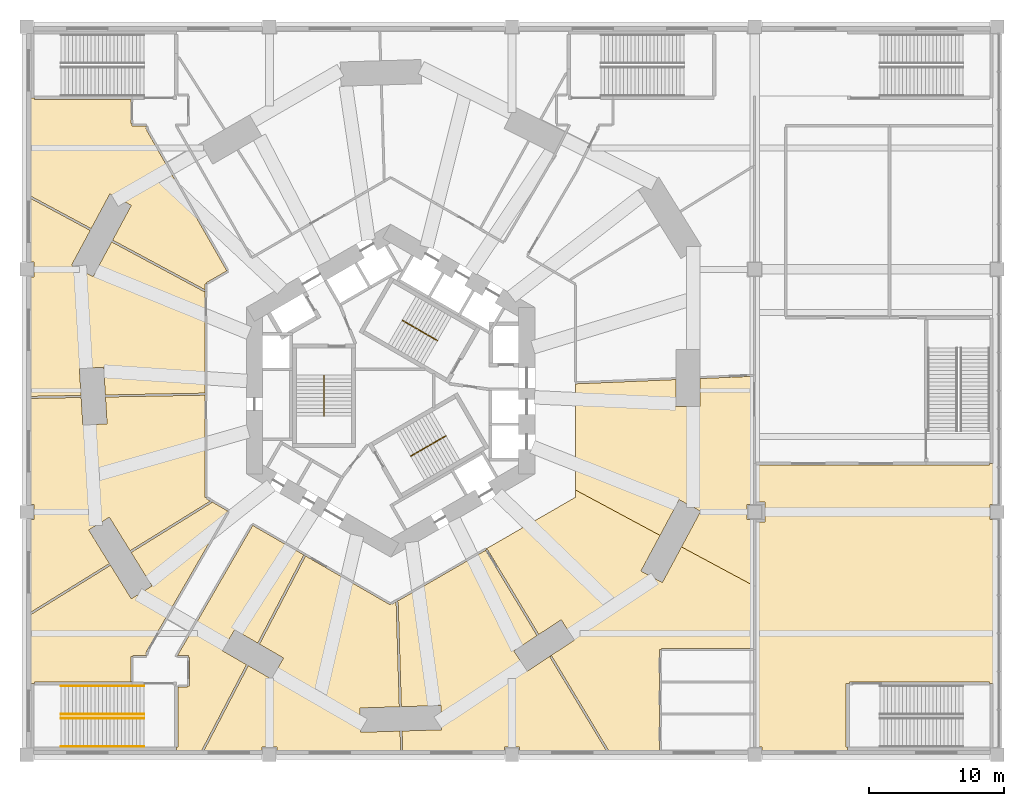
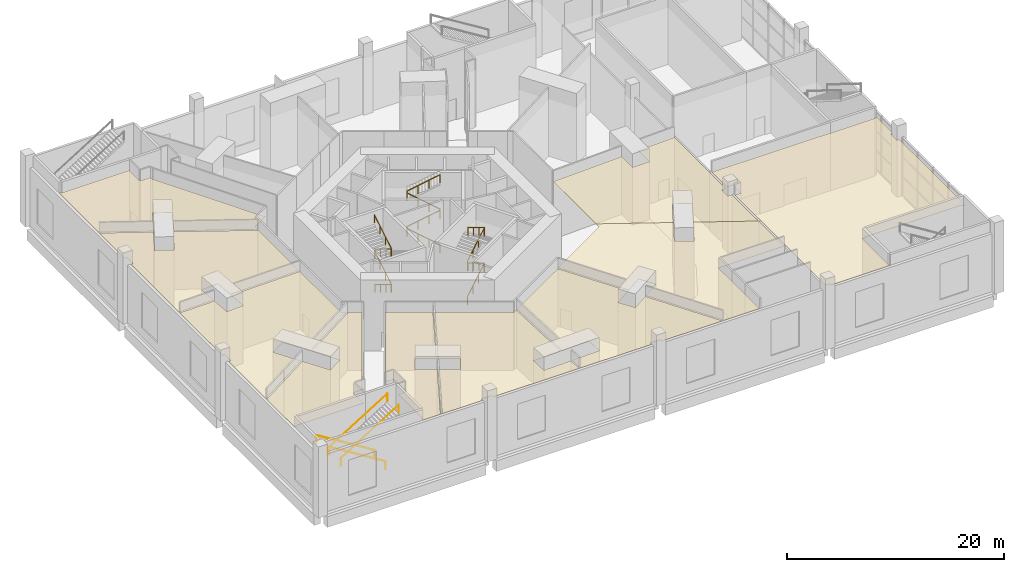
# One storey, part 14 of 15: 10 coverings, 7 railings.
"""IFC4 building model written with IfcOpenShell, lengths in metres."""

from ifc_helpers import new_model, si_unit, direction, frame, origin, origin_2d, place, context, subcontext, project, spatial, polyline, circle, outline, extrude, material, layer, layer_set, type_object, element, save


model = new_model("IFC4")

# Units and contexts
model_context = context("Model", 3, precision=1e-05, world=origin(), true_north=direction((0.0, 1.0)))
body_context = subcontext(model_context, "Body", "Model", "MODEL_VIEW")
ifc_project = project(units=[si_unit("LENGTHUNIT", "METRE"), si_unit("AREAUNIT", "SQUARE_METRE"), si_unit("VOLUMEUNIT", "CUBIC_METRE"), si_unit("PLANEANGLEUNIT", "RADIAN"), si_unit("MASSUNIT", "GRAM", prefix="KILO")], contexts=[model_context])

# Site, building, storey
site_placement = place(None, origin())
site = spatial("IfcSite", under=ifc_project, at=site_placement, CompositionType="ELEMENT")
building_placement = place(site_placement, origin())
building = spatial("IfcBuilding", under=site, at=building_placement, Name="Vanh Sen Convention Tower", CompositionType="ELEMENT")
storey_placement = place(building_placement, frame((0.0, 0.0, 13.0)))
storey = spatial("IfcBuildingStorey", under=building, at=storey_placement, Name="L02", CompositionType="ELEMENT", Elevation=13.0)

# Railings
ifc_material_1 = material(Name="Stainless steel", Category="steel")
railing_type_1 = type_object("IfcRailingType", Name="Podium handrail 900", PredefinedType="HANDRAIL", material=ifc_material_1)
for number, where, name in (
    (1, (-18.300048828125, -21.89990234375, 0.173828125), "Handrail PS6 L02"),
    (2, (-18.300048828125, -24.0, 0.173828125), "Handrail PS6 L02"),
):
    element("IfcRailing", number, at=place(storey_placement, frame(where)), inside=storey, type_object=railing_type_1, Name=name, PredefinedType="HANDRAIL", context=body_context, shape_type="SweptSolid", body=[
        extrude(circle(Radius=0.02392578125, at=origin_2d()), frame((0.0, 0.0, 0.8759765625), z_axis=(-0.849468459523, 0.0, 0.527639399851), x_axis=(0.0, -1.0, 0.0)), (0.0, 0.0, 1.0), 7.25146484375),
        extrude(circle(Radius=0.02099609375, at=origin_2d()), origin(), (0.0, 0.0, 1.0), 0.851806640625),
        extrude(circle(Radius=0.02099609375, at=origin_2d()), frame((-6.159912109375, 0.0, 3.826171875)), (0.0, 0.0, 1.0), 0.851806640625),
    ])
for number, where, name in (
    (3, (-24.4599609375, -26.39990234375, 4.173828125), "Handrail PS6 L02"),
    (4, (-24.4599609375, -24.300048828125, 4.173828125), "Handrail PS6 L02"),
):
    element("IfcRailing", number, at=place(storey_placement, frame(where)), inside=storey, type_object=railing_type_1, Name=name, PredefinedType="HANDRAIL", context=body_context, shape_type="SweptSolid", body=[
        extrude(circle(Radius=0.02392578125, at=origin_2d()), frame((0.0, 0.0, 0.8759765625), z_axis=(0.849468459523, 0.0, 0.527639399851), x_axis=(0.0, 1.0, 0.0)), (0.0, 0.0, 1.0), 7.25146484375),
        extrude(circle(Radius=0.02099609375, at=origin_2d()), origin(), (0.0, 0.0, 1.0), 0.851806640625),
        extrude(circle(Radius=0.02099609375, at=origin_2d()), frame((6.159912109375, 0.0, 3.826171875)), (0.0, 0.0, 1.0), 0.851806640625),
    ])
ifc_material_2 = material(Name="Stainless steel handrail", Category="steel")
railing_type_2 = type_object("IfcRailingType", Name="Stair handrail 900", PredefinedType="HANDRAIL", material=ifc_material_2)
railing_1_placement = place(storey_placement, frame((3.45849609375, 3.690185546875, 0.166748046875)))
element("IfcRailing", 5, at=railing_1_placement, inside=storey, type_object=railing_type_2, Name="Stair handrail ST1 L02", PredefinedType="HANDRAIL", context=body_context, shape_type="SweptSolid", body=[
    extrude(circle(Radius=0.02392578125, at=origin_2d()), frame((0.0, 0.0, 0.8759765625), z_axis=(-0.740654910014, 0.427579644724, 0.518272082685), x_axis=(-0.49996696679, -0.866044474677, 0.0)), (0.0, 0.0, 1.0), 3.537353515625),
    extrude(circle(Radius=0.02392578125, at=origin_2d()), frame((-2.619873046875, 1.512451171875, 2.708984375), z_axis=(0.500844580232, 0.86553723574, 0.0), x_axis=(-0.86553723574, 0.500844580232, 0.0)), (0.0, 0.0, 1.0), 0.05029296875),
    extrude(circle(Radius=0.02392578125, at=origin_2d()), frame((-2.5947265625, 1.555908203125, 2.708984375), z_axis=(0.0, 0.0, 1.0), x_axis=(1.0, 0.0, 0.0)), (0.0, 0.0, 1.0), 0.166748046875),
    extrude(circle(Radius=0.02392578125, at=origin_2d()), frame((-2.5947265625, 1.555908203125, 2.8759765625), z_axis=(0.740601889828, -0.427657903949, 0.518283279657), x_axis=(0.500062442642, 0.865989349507, 0.0)), (0.0, 0.0, 1.0), 3.537109375),
    extrude(circle(Radius=0.02392578125, at=origin_2d()), frame((0.02490234375, 0.043212890625, 4.708984375), z_axis=(-0.499298623879, -0.866429964967, 0.0), x_axis=(0.866429964967, -0.499298623879, 0.0)), (0.0, 0.0, 1.0), 0.0498046875),
    extrude(circle(Radius=0.02392578125, at=origin_2d()), frame((0.0, 0.0, 4.708984375), z_axis=(0.0, 0.0, 1.0), x_axis=(1.0, 0.0, 0.0)), (0.0, 0.0, 1.0), 0.166748046875),
    extrude(circle(Radius=0.02392578125, at=origin_2d()), frame((0.0, 0.0, 4.8759765625), z_axis=(-0.740654910014, 0.427579644724, 0.518272082685), x_axis=(-0.49996696679, -0.866044474677, 0.0)), (0.0, 0.0, 1.0), 3.537353515625),
    extrude(circle(Radius=0.02392578125, at=origin_2d()), frame((-2.619873046875, 1.512451171875, 6.708984375), z_axis=(0.500844580232, 0.86553723574, 0.0), x_axis=(-0.86553723574, 0.500844580232, 0.0)), (0.0, 0.0, 1.0), 0.05029296875),
    extrude(circle(Radius=0.02392578125, at=origin_2d()), frame((-2.5947265625, 1.555908203125, 6.708984375), z_axis=(0.0, 0.0, 1.0), x_axis=(1.0, 0.0, 0.0)), (0.0, 0.0, 1.0), 0.166748046875),
    extrude(circle(Radius=0.02392578125, at=origin_2d()), frame((-2.5947265625, 1.555908203125, 6.8759765625), z_axis=(0.740601889828, -0.427657903949, 0.518283279657), x_axis=(0.500062442642, 0.865989349507, 0.0)), (0.0, 0.0, 1.0), 3.537109375),
    extrude(circle(Radius=0.02099609375, at=origin_2d()), origin(), (0.0, 0.0, 1.0), 0.851806640625),
    extrude(circle(Radius=0.02099609375, at=origin_2d()), frame((-0.873291015625, 0.504150390625, 0.611083984375)), (0.0, 0.0, 1.0), 0.851806640625),
    extrude(circle(Radius=0.02099609375, at=origin_2d()), frame((-1.74658203125, 1.00830078125, 1.22216796875)), (0.0, 0.0, 1.0), 0.851806640625),
    extrude(circle(Radius=0.02099609375, at=origin_2d()), frame((-2.619873046875, 1.512451171875, 1.833251953125)), (0.0, 0.0, 1.0), 0.851806640625),
    extrude(circle(Radius=0.02099609375, at=origin_2d()), frame((-2.5947265625, 1.555908203125, 1.833251953125)), (0.0, 0.0, 1.0), 0.851806640625),
    extrude(circle(Radius=0.02099609375, at=origin_2d()), frame((-2.5947265625, 1.555908203125, 2.0)), (0.0, 0.0, 1.0), 0.851806640625),
    extrude(circle(Radius=0.02099609375, at=origin_2d()), frame((-1.721435546875, 1.0517578125, 2.611083984375)), (0.0, 0.0, 1.0), 0.851806640625),
    extrude(circle(Radius=0.02099609375, at=origin_2d()), frame((-0.848388671875, 0.54736328125, 3.22216796875)), (0.0, 0.0, 1.0), 0.851806640625),
    extrude(circle(Radius=0.02099609375, at=origin_2d()), frame((0.02490234375, 0.043212890625, 3.833251953125)), (0.0, 0.0, 1.0), 0.851806640625),
    extrude(circle(Radius=0.02099609375, at=origin_2d()), frame((0.0, 0.0, 3.833251953125)), (0.0, 0.0, 1.0), 0.851806640625),
    extrude(circle(Radius=0.02099609375, at=origin_2d()), frame((0.0, 0.0, 4.0)), (0.0, 0.0, 1.0), 0.851806640625),
    extrude(circle(Radius=0.02099609375, at=origin_2d()), frame((-0.873291015625, 0.504150390625, 4.611083984375)), (0.0, 0.0, 1.0), 0.851806640625),
    extrude(circle(Radius=0.02099609375, at=origin_2d()), frame((-1.74658203125, 1.00830078125, 5.22216796875)), (0.0, 0.0, 1.0), 0.851806640625),
    extrude(circle(Radius=0.02099609375, at=origin_2d()), frame((-2.619873046875, 1.512451171875, 5.833251953125)), (0.0, 0.0, 1.0), 0.851806640625),
    extrude(circle(Radius=0.02099609375, at=origin_2d()), frame((-2.5947265625, 1.555908203125, 5.833251953125)), (0.0, 0.0, 1.0), 0.851806640625),
    extrude(circle(Radius=0.02099609375, at=origin_2d()), frame((-2.5947265625, 1.555908203125, 6.0)), (0.0, 0.0, 1.0), 0.851806640625),
    extrude(circle(Radius=0.02099609375, at=origin_2d()), frame((-1.721435546875, 1.0517578125, 6.611083984375)), (0.0, 0.0, 1.0), 0.851806640625),
    extrude(circle(Radius=0.02099609375, at=origin_2d()), frame((-0.848388671875, 0.54736328125, 7.22216796875)), (0.0, 0.0, 1.0), 0.851806640625),
    extrude(circle(Radius=0.02099609375, at=origin_2d()), frame((0.02490234375, 0.043212890625, 7.833251953125)), (0.0, 0.0, 1.0), 0.851806640625),
])
railing_2_placement = place(storey_placement, frame((-4.925048828125, 1.14990234375, 0.166748046875)))
element("IfcRailing", 6, at=railing_2_placement, inside=storey, type_object=railing_type_2, Name="Stair handrail ST2 L02", PredefinedType="HANDRAIL", context=body_context, shape_type="SweptSolid", body=[
    extrude(circle(Radius=0.02392578125, at=origin_2d()), frame((0.0, 0.0, 0.8759765625), z_axis=(0.0, -0.855200612876, 0.518297126884), x_axis=(1.0, 0.0, 0.0)), (0.0, 0.0, 1.0), 3.537109375),
    extrude(circle(Radius=0.02392578125, at=origin_2d()), frame((0.0, -3.02490234375, 2.708984375), z_axis=(-1.0, 0.0, 0.0), x_axis=(0.0, -1.0, 0.0)), (0.0, 0.0, 1.0), 0.050048828125),
    extrude(circle(Radius=0.02392578125, at=origin_2d()), frame((-0.050048828125, -3.02490234375, 2.708984375), z_axis=(0.0, 0.0, 1.0), x_axis=(1.0, 0.0, 0.0)), (0.0, 0.0, 1.0), 0.166748046875),
    extrude(circle(Radius=0.02392578125, at=origin_2d()), frame((-0.050048828125, -3.02490234375, 2.8759765625), z_axis=(0.0, 0.855200612876, 0.518297126884), x_axis=(-1.0, 0.0, 0.0)), (0.0, 0.0, 1.0), 3.537109375),
    extrude(circle(Radius=0.02392578125, at=origin_2d()), frame((-0.050048828125, 0.0, 4.708984375), z_axis=(1.0, 0.0, 0.0), x_axis=(0.0, 1.0, 0.0)), (0.0, 0.0, 1.0), 0.050048828125),
    extrude(circle(Radius=0.02392578125, at=origin_2d()), frame((0.0, 0.0, 4.708984375), z_axis=(0.0, 0.0, 1.0), x_axis=(1.0, 0.0, 0.0)), (0.0, 0.0, 1.0), 0.166748046875),
    extrude(circle(Radius=0.02392578125, at=origin_2d()), frame((0.0, 0.0, 4.8759765625), z_axis=(0.0, -0.855200612876, 0.518297126884), x_axis=(1.0, 0.0, 0.0)), (0.0, 0.0, 1.0), 3.537109375),
    extrude(circle(Radius=0.02392578125, at=origin_2d()), frame((0.0, -3.02490234375, 6.708984375), z_axis=(-1.0, 0.0, 0.0), x_axis=(0.0, -1.0, 0.0)), (0.0, 0.0, 1.0), 0.050048828125),
    extrude(circle(Radius=0.02392578125, at=origin_2d()), frame((-0.050048828125, -3.02490234375, 6.708984375), z_axis=(0.0, 0.0, 1.0), x_axis=(1.0, 0.0, 0.0)), (0.0, 0.0, 1.0), 0.166748046875),
    extrude(circle(Radius=0.02392578125, at=origin_2d()), frame((-0.050048828125, -3.02490234375, 6.8759765625), z_axis=(0.0, 0.855200612876, 0.518297126884), x_axis=(-1.0, 0.0, 0.0)), (0.0, 0.0, 1.0), 3.537109375),
    extrude(circle(Radius=0.02099609375, at=origin_2d()), origin(), (0.0, 0.0, 1.0), 0.851806640625),
    extrude(circle(Radius=0.02099609375, at=origin_2d()), frame((0.0, -1.00830078125, 0.611083984375)), (0.0, 0.0, 1.0), 0.851806640625),
    extrude(circle(Radius=0.02099609375, at=origin_2d()), frame((0.0, -2.0166015625, 1.22216796875)), (0.0, 0.0, 1.0), 0.851806640625),
    extrude(circle(Radius=0.02099609375, at=origin_2d()), frame((0.0, -3.02490234375, 1.833251953125)), (0.0, 0.0, 1.0), 0.851806640625),
    extrude(circle(Radius=0.02099609375, at=origin_2d()), frame((-0.050048828125, -3.02490234375, 1.833251953125)), (0.0, 0.0, 1.0), 0.851806640625),
    extrude(circle(Radius=0.02099609375, at=origin_2d()), frame((-0.050048828125, -3.02490234375, 2.0)), (0.0, 0.0, 1.0), 0.851806640625),
    extrude(circle(Radius=0.02099609375, at=origin_2d()), frame((-0.050048828125, -2.0166015625, 2.611083984375)), (0.0, 0.0, 1.0), 0.851806640625),
    extrude(circle(Radius=0.02099609375, at=origin_2d()), frame((-0.050048828125, -1.00830078125, 3.22216796875)), (0.0, 0.0, 1.0), 0.851806640625),
    extrude(circle(Radius=0.02099609375, at=origin_2d()), frame((-0.050048828125, 0.0, 3.833251953125)), (0.0, 0.0, 1.0), 0.851806640625),
    extrude(circle(Radius=0.02099609375, at=origin_2d()), frame((0.0, 0.0, 3.833251953125)), (0.0, 0.0, 1.0), 0.851806640625),
    extrude(circle(Radius=0.02099609375, at=origin_2d()), frame((0.0, 0.0, 4.0)), (0.0, 0.0, 1.0), 0.851806640625),
    extrude(circle(Radius=0.02099609375, at=origin_2d()), frame((0.0, -1.00830078125, 4.611083984375)), (0.0, 0.0, 1.0), 0.851806640625),
    extrude(circle(Radius=0.02099609375, at=origin_2d()), frame((0.0, -2.0166015625, 5.22216796875)), (0.0, 0.0, 1.0), 0.851806640625),
    extrude(circle(Radius=0.02099609375, at=origin_2d()), frame((0.0, -3.02490234375, 5.833251953125)), (0.0, 0.0, 1.0), 0.851806640625),
    extrude(circle(Radius=0.02099609375, at=origin_2d()), frame((-0.050048828125, -3.02490234375, 5.833251953125)), (0.0, 0.0, 1.0), 0.851806640625),
    extrude(circle(Radius=0.02099609375, at=origin_2d()), frame((-0.050048828125, -3.02490234375, 6.0)), (0.0, 0.0, 1.0), 0.851806640625),
    extrude(circle(Radius=0.02099609375, at=origin_2d()), frame((-0.050048828125, -2.0166015625, 6.611083984375)), (0.0, 0.0, 1.0), 0.851806640625),
    extrude(circle(Radius=0.02099609375, at=origin_2d()), frame((-0.050048828125, -1.00830078125, 7.22216796875)), (0.0, 0.0, 1.0), 0.851806640625),
    extrude(circle(Radius=0.02099609375, at=origin_2d()), frame((-0.050048828125, 0.0, 7.833251953125)), (0.0, 0.0, 1.0), 0.851806640625),
])
railing_3_placement = place(storey_placement, frame((1.466552734375, -4.840087890625, 0.166748046875)))
element("IfcRailing", 7, at=railing_3_placement, inside=storey, type_object=railing_type_2, Name="Stair handrail ST3 L02", PredefinedType="HANDRAIL", context=body_context, shape_type="SweptSolid", body=[
    extrude(circle(Radius=0.02392578125, at=origin_2d()), frame((0.0, 0.0, 0.8759765625), z_axis=(0.74062374985, 0.427601503292, 0.518298577598), x_axis=(-0.500001913541, 0.866024298998, 0.0)), (0.0, 0.0, 1.0), 3.537109375),
    extrude(circle(Radius=0.02392578125, at=origin_2d()), frame((2.61962890625, 1.512451171875, 2.708984375), z_axis=(0.500844580232, -0.86553723574, 0.0), x_axis=(0.86553723574, 0.500844580232, 0.0)), (0.0, 0.0, 1.0), 0.05029296875),
    extrude(circle(Radius=0.02392578125, at=origin_2d()), frame((2.644775390625, 1.468994140625, 2.708984375), z_axis=(0.0, 0.0, 1.0), x_axis=(1.0, 0.0, 0.0)), (0.0, 0.0, 1.0), 0.166748046875),
    extrude(circle(Radius=0.02392578125, at=origin_2d()), frame((2.644775390625, 1.468994140625, 2.8759765625), z_axis=(-0.74062374985, -0.427601503292, 0.518298577598), x_axis=(0.500001913541, -0.866024298998, 0.0)), (0.0, 0.0, 1.0), 3.537109375),
    extrude(circle(Radius=0.02392578125, at=origin_2d()), frame((0.025146484375, -0.04345703125, 4.708984375), z_axis=(-0.500844580232, 0.86553723574, 0.0), x_axis=(-0.86553723574, -0.500844580232, 0.0)), (0.0, 0.0, 1.0), 0.05029296875),
    extrude(circle(Radius=0.02392578125, at=origin_2d()), frame((0.0, 0.0, 4.708984375), z_axis=(0.0, 0.0, 1.0), x_axis=(1.0, 0.0, 0.0)), (0.0, 0.0, 1.0), 0.166748046875),
    extrude(circle(Radius=0.02392578125, at=origin_2d()), frame((0.0, 0.0, 4.8759765625), z_axis=(0.74062374985, 0.427601503292, 0.518298577598), x_axis=(-0.500001913541, 0.866024298998, 0.0)), (0.0, 0.0, 1.0), 3.537109375),
    extrude(circle(Radius=0.02392578125, at=origin_2d()), frame((2.61962890625, 1.512451171875, 6.708984375), z_axis=(0.500844580232, -0.86553723574, 0.0), x_axis=(0.86553723574, 0.500844580232, 0.0)), (0.0, 0.0, 1.0), 0.05029296875),
    extrude(circle(Radius=0.02392578125, at=origin_2d()), frame((2.644775390625, 1.468994140625, 6.708984375), z_axis=(0.0, 0.0, 1.0), x_axis=(1.0, 0.0, 0.0)), (0.0, 0.0, 1.0), 0.166748046875),
    extrude(circle(Radius=0.02392578125, at=origin_2d()), frame((2.644775390625, 1.468994140625, 6.8759765625), z_axis=(-0.74062374985, -0.427601503292, 0.518298577598), x_axis=(0.500001913541, -0.866024298998, 0.0)), (0.0, 0.0, 1.0), 3.537109375),
    extrude(circle(Radius=0.02099609375, at=origin_2d()), origin(), (0.0, 0.0, 1.0), 0.851806640625),
    extrude(circle(Radius=0.02099609375, at=origin_2d()), frame((0.873291015625, 0.504150390625, 0.611083984375)), (0.0, 0.0, 1.0), 0.851806640625),
    extrude(circle(Radius=0.02099609375, at=origin_2d()), frame((1.746337890625, 1.00830078125, 1.22216796875)), (0.0, 0.0, 1.0), 0.851806640625),
    extrude(circle(Radius=0.02099609375, at=origin_2d()), frame((2.61962890625, 1.512451171875, 1.833251953125)), (0.0, 0.0, 1.0), 0.851806640625),
    extrude(circle(Radius=0.02099609375, at=origin_2d()), frame((2.644775390625, 1.468994140625, 1.833251953125)), (0.0, 0.0, 1.0), 0.851806640625),
    extrude(circle(Radius=0.02099609375, at=origin_2d()), frame((2.644775390625, 1.468994140625, 2.0)), (0.0, 0.0, 1.0), 0.851806640625),
    extrude(circle(Radius=0.02099609375, at=origin_2d()), frame((1.771484375, 0.96484375, 2.611083984375)), (0.0, 0.0, 1.0), 0.851806640625),
    extrude(circle(Radius=0.02099609375, at=origin_2d()), frame((0.8984375, 0.460693359375, 3.22216796875)), (0.0, 0.0, 1.0), 0.851806640625),
    extrude(circle(Radius=0.02099609375, at=origin_2d()), frame((0.025146484375, -0.04345703125, 3.833251953125)), (0.0, 0.0, 1.0), 0.851806640625),
    extrude(circle(Radius=0.02099609375, at=origin_2d()), frame((0.0, 0.0, 3.833251953125)), (0.0, 0.0, 1.0), 0.851806640625),
    extrude(circle(Radius=0.02099609375, at=origin_2d()), frame((0.0, 0.0, 4.0)), (0.0, 0.0, 1.0), 0.851806640625),
    extrude(circle(Radius=0.02099609375, at=origin_2d()), frame((0.873291015625, 0.504150390625, 4.611083984375)), (0.0, 0.0, 1.0), 0.851806640625),
    extrude(circle(Radius=0.02099609375, at=origin_2d()), frame((1.746337890625, 1.00830078125, 5.22216796875)), (0.0, 0.0, 1.0), 0.851806640625),
    extrude(circle(Radius=0.02099609375, at=origin_2d()), frame((2.61962890625, 1.512451171875, 5.833251953125)), (0.0, 0.0, 1.0), 0.851806640625),
    extrude(circle(Radius=0.02099609375, at=origin_2d()), frame((2.644775390625, 1.468994140625, 5.833251953125)), (0.0, 0.0, 1.0), 0.851806640625),
    extrude(circle(Radius=0.02099609375, at=origin_2d()), frame((2.644775390625, 1.468994140625, 6.0)), (0.0, 0.0, 1.0), 0.851806640625),
    extrude(circle(Radius=0.02099609375, at=origin_2d()), frame((1.771484375, 0.96484375, 6.611083984375)), (0.0, 0.0, 1.0), 0.851806640625),
    extrude(circle(Radius=0.02099609375, at=origin_2d()), frame((0.8984375, 0.460693359375, 7.22216796875)), (0.0, 0.0, 1.0), 0.851806640625),
    extrude(circle(Radius=0.02099609375, at=origin_2d()), frame((0.025146484375, -0.04345703125, 7.833251953125)), (0.0, 0.0, 1.0), 0.851806640625),
])

# Coverings
ifc_material_3 = material(Name="Mineral fibre tiles in a concealed grid")
ifc_layer = layer(ifc_material_3, 0.0400390625)
ifc_layer_set = layer_set([ifc_layer], Name="Mineral fibre tiles in a concealed grid")
covering_type = type_object("IfcCoveringType", Name="Suspended ceiling 600 x 600 tile", PredefinedType="CEILING", material=ifc_layer_set)
covering_1_placement = place(storey_placement, frame((0.0, 0.0, 6.4599609375)))
element("IfcCovering", 8, at=covering_1_placement, inside=storey, type_object=covering_type, Name="Suspended ceiling CL3 Conference hall", PredefinedType="CEILING", context=body_context, shape_type="SweptSolid", body=[
    extrude(outline(polyline([(44.699951171875, -21.72509765625), (44.699951171875, -9.550048828125), (44.449951171875, -9.550048828125), (44.449951171875, -8.449951171875), (44.699951171875, -8.449951171875), (44.699951171875, -5.39990234375), (44.43994140625, -5.39990234375), (44.43994140625, -5.52490234375), (39.72509765625, -5.52490234375), (39.72509765625, -5.5), (27.10009765625, -5.5), (27.10009765625, -8.25), (27.751953125, -8.25), (27.751953125, -8.449951171875), (27.751953125, -9.550048828125), (27.751953125, -9.75), (27.10009765625, -9.75), (27.10009765625, -14.507568359375), (27.10009765625, -19.199951171875), (27.10009765625, -21.60009765625), (27.10009765625, -24.0), (27.10009765625, -26.449951171875), (27.550048828125, -26.449951171875), (27.550048828125, -26.699951171875), (33.89990234375, -26.699951171875), (33.89990234375, -26.43994140625), (33.77490234375, -26.43994140625), (33.77490234375, -21.72509765625), (33.89990234375, -21.72509765625), (34.02490234375, -21.72509765625), (34.0400390625, -21.72509765625), (34.0400390625, -21.60009765625), (44.43994140625, -21.60009765625), (44.43994140625, -21.72509765625), (44.699951171875, -21.72509765625)])), origin(), (0.0, 0.0, 1.0), 0.0400390625),
])
covering_2_placement = place(storey_placement, frame((0.0, 0.0, 6.4599609375)))
element("IfcCovering", 9, at=covering_2_placement, inside=storey, type_object=covering_type, Name="Suspended ceiling CL3 Pre-function foyer", PredefinedType="CEILING", context=body_context, shape_type="SweptSolid", body=[
    extrude(outline(polyline([(13.699951171875, 0.58251953125), (13.699951171875, -7.361083984375), (19.98583984375, -10.73876953125), (21.40576171875, -8.095947265625), (22.991455078125, -8.947998046875), (21.5712890625, -11.5908203125), (26.89990234375, -14.4541015625), (26.89990234375, -9.550048828125), (26.449951171875, -9.550048828125), (26.449951171875, -8.449951171875), (26.89990234375, -8.449951171875), (26.89990234375, -5.39990234375), (26.925048828125, -5.39990234375), (26.925048828125, 1.14453125), (26.919921875, 1.14404296875), (26.923583984375, 1.069091796875), (22.952880859375, 0.90087890625), (22.949951171875, 0.9755859375), (22.949951171875, -1.162841796875), (21.14990234375, -1.162841796875), (21.14990234375, 0.824462890625), (13.702880859375, 0.507568359375), (13.699951171875, 0.58251953125)])), origin(), (0.0, 0.0, 1.0), 0.0400390625),
])
covering_3_placement = place(storey_placement, frame((0.0, 0.0, 6.4599609375)))
element("IfcCovering", 10, at=covering_3_placement, inside=storey, type_object=covering_type, Name="Suspended ceiling CL3 Business meeting room", PredefinedType="CEILING", context=body_context, shape_type="SweptSolid", body=[
    extrude(outline(polyline([(-26.43994140625, 21.60009765625), (-26.43994140625, 21.72509765625), (-26.699951171875, 21.72509765625), (-26.699951171875, 14.346435546875), (-26.66455078125, 14.41259765625), (-22.215576171875, 12.02197265625), (-20.8310546875, 14.5986328125), (-19.245361328125, 13.74658203125), (-20.6298828125, 11.169921875), (-13.77490234375, 7.487060546875), (-13.77490234375, 7.909423828125), (-13.699951171875, 7.909423828125), (-13.64794921875, 7.939453125), (-13.685546875, 8.00439453125), (-12.090087890625, 8.925537109375), (-12.052490234375, 8.860595703125), (-12.092041015625, 8.929931640625), (-12.157470703125, 8.89306640625), (-18.097900390625, 19.305419921875), (-18.032958984375, 19.342529296875), (-18.0380859375, 19.362060546875), (-18.110595703125, 19.342529296875), (-18.172607421875, 19.574951171875), (-18.10009765625, 19.594482421875), (-18.10009765625, 19.64990234375), (-19.199951171875, 19.64990234375), (-19.199951171875, 19.72509765625), (-19.199951171875, 19.800048828125), (-19.199951171875, 19.804931640625), (-19.27490234375, 19.804931640625), (-19.27490234375, 21.5849609375), (-19.199951171875, 21.5849609375), (-19.199951171875, 21.60009765625), (-26.43994140625, 21.60009765625)])), origin(), (0.0, 0.0, 1.0), 0.0400390625),
])
covering_4_placement = place(storey_placement, frame((0.0, 0.0, 6.4599609375)))
element("IfcCovering", 11, at=covering_4_placement, inside=storey, type_object=covering_type, Name="Suspended ceiling CL3 Business centre", PredefinedType="CEILING", context=body_context, shape_type="SweptSolid", body=[
    extrude(outline(polyline([(-13.781494140625, -0.181396484375), (-13.780029296875, -0.256591796875), (-13.77490234375, -0.256591796875), (-13.77490234375, -0.2548828125), (-13.77490234375, 7.361572265625), (-13.77490234375, 7.402099609375), (-13.805419921875, 7.41845703125), (-13.841064453125, 7.35205078125), (-20.70068359375, 11.037841796875), (-22.085205078125, 8.461181640625), (-23.6708984375, 9.313232421875), (-22.2509765625, 11.9560546875), (-22.2509765625, 11.9560546875), (-22.28662109375, 11.889892578125), (-26.699951171875, 14.261474609375), (-26.699951171875, 9.550048828125), (-26.449951171875, 9.550048828125), (-26.449951171875, 8.449951171875), (-26.699951171875, 8.449951171875), (-26.699951171875, -0.422119140625), (-22.97119140625, -0.3525390625), (-23.092529296875, 1.630615234375), (-21.2958984375, 1.740478515625), (-21.16552734375, -0.390380859375), (-21.1669921875, -0.319091796875), (-13.781494140625, -0.181396484375)])), origin(), (0.0, 0.0, 1.0), 0.0400390625),
])
covering_5_placement = place(storey_placement, frame((0.0, 0.0, 6.4599609375)))
element("IfcCovering", 12, at=covering_5_placement, inside=storey, type_object=covering_type, Name="Suspended ceiling CL3 Business meeting room", PredefinedType="CEILING", context=body_context, shape_type="SweptSolid", body=[
    extrude(outline(polyline([(-13.685546875, -8.00439453125), (-13.64794921875, -7.939453125), (-13.699951171875, -7.909423828125), (-13.77490234375, -7.909423828125), (-13.77490234375, -0.256591796875), (-13.780029296875, -0.256591796875), (-13.778564453125, -0.33154296875), (-21.160888671875, -0.468994140625), (-21.03955078125, -2.45166015625), (-22.836181640625, -2.5615234375), (-22.96630859375, -0.4306640625), (-22.965087890625, -0.50244140625), (-26.698486328125, -0.572021484375), (-26.699951171875, -0.4970703125), (-26.699951171875, -8.449951171875), (-26.449951171875, -8.449951171875), (-26.449951171875, -9.550048828125), (-26.699951171875, -9.550048828125), (-26.699951171875, -16.4345703125), (-23.882568359375, -14.6904296875), (-20.863037109375, -12.822509765625), (-20.8544921875, -12.836181640625), (-22.402099609375, -10.3349609375), (-20.87158203125, -9.3876953125), (-19.31689453125, -11.900390625), (-19.33251953125, -11.875), (-13.37109375, -8.18603515625), (-13.685546875, -8.00439453125)])), origin(), (0.0, 0.0, 1.0), 0.0400390625),
])
covering_6_placement = place(storey_placement, frame((0.0, 0.0, 6.4599609375)))
element("IfcCovering", 13, at=covering_6_placement, inside=storey, type_object=covering_type, Name="Suspended ceiling CL3 Business meeting room", PredefinedType="CEILING", context=body_context, shape_type="SweptSolid", body=[
    extrude(outline(polyline([(-26.43994140625, -21.60009765625), (-19.199951171875, -21.60009765625), (-19.199951171875, -21.5849609375), (-19.27490234375, -21.5849609375), (-19.27490234375, -19.72509765625), (-19.199951171875, -19.72509765625), (-19.125, -19.72509765625), (-19.1201171875, -19.72509765625), (-19.1201171875, -19.64990234375), (-18.10009765625, -19.64990234375), (-18.10009765625, -19.593017578125), (-18.172607421875, -19.573486328125), (-18.10400390625, -19.319091796875), (-18.031494140625, -19.33837890625), (-18.021484375, -19.321044921875), (-18.08642578125, -19.283447265625), (-12.10009765625, -8.925537109375), (-12.034912109375, -8.962890625), (-12.032470703125, -8.958984375), (-13.262451171875, -8.2490234375), (-13.297607421875, -8.22900390625), (-13.326904296875, -8.2470703125), (-13.28759765625, -8.31103515625), (-19.25341796875, -12.00244140625), (-19.28125, -11.9580078125), (-17.71435546875, -14.489990234375), (-19.2451171875, -15.437255859375), (-20.783935546875, -12.949951171875), (-23.803466796875, -14.818603515625), (-26.660400390625, -16.58642578125), (-26.699951171875, -16.5224609375), (-26.699951171875, -21.72509765625), (-26.43994140625, -21.72509765625), (-26.43994140625, -21.60009765625)])), origin(), (0.0, 0.0, 1.0), 0.0400390625),
])
covering_7_placement = place(storey_placement, frame((0.0, 0.0, 6.4599609375)))
element("IfcCovering", 14, at=covering_7_placement, inside=storey, type_object=covering_type, Name="Suspended ceiling CL3 Business meeting room", PredefinedType="CEILING", context=body_context, shape_type="SweptSolid", body=[
    extrude(outline(polyline([(-15.0, -19.72509765625), (-15.0, -19.800048828125), (-15.0, -19.804931640625), (-14.925048828125, -19.804931640625), (-14.925048828125, -21.925048828125), (-15.0, -21.925048828125), (-15.074951171875, -21.925048828125), (-15.080078125, -21.925048828125), (-15.080078125, -22.0), (-15.760009765625, -22.0), (-15.760009765625, -21.925048828125), (-15.77490234375, -21.925048828125), (-15.77490234375, -26.43994140625), (-15.89990234375, -26.43994140625), (-15.89990234375, -26.699951171875), (-13.9384765625, -26.699951171875), (-14.0048828125, -26.66552734375), (-12.751953125, -24.265380859375), (-10.696533203125, -20.32861328125), (-10.63134765625, -20.3623046875), (-12.482177734375, -19.293701171875), (-11.58203125, -17.735107421875), (-9.861572265625, -18.728271484375), (-6.448974609375, -12.19189453125), (-6.382568359375, -12.2265625), (-6.380615234375, -12.222412109375), (-6.383056640625, -12.220947265625), (-6.383056640625, -12.220458984375), (-10.300537109375, -9.958984375), (-10.302978515625, -9.96337890625), (-10.238037109375, -10.0009765625), (-15.81494140625, -19.64990234375), (-15.0, -19.64990234375), (-15.0, -19.72509765625)])), origin(), (0.0, 0.0, 1.0), 0.0400390625),
])
covering_8_placement = place(storey_placement, frame((0.0, 0.0, 6.4599609375)))
element("IfcCovering", 15, at=covering_8_placement, inside=storey, type_object=covering_type, Name="Suspended ceiling CL3 Business meeting room", PredefinedType="CEILING", context=body_context, shape_type="SweptSolid", body=[
    extrude(outline(polyline([(0.089599609375, -15.8544921875), (0.052001953125, -15.78955078125), (0.0, -15.819580078125), (-0.03759765625, -15.884521484375), (-6.380615234375, -12.222412109375), (-6.382568359375, -12.2265625), (-6.31591796875, -12.261474609375), (-9.72998046875, -18.800537109375), (-9.794677734375, -18.76708984375), (-7.944580078125, -19.8349609375), (-8.8447265625, -21.393798828125), (-10.565185546875, -20.400634765625), (-12.618896484375, -24.33447265625), (-13.85400390625, -26.699951171875), (-9.550048828125, -26.699951171875), (-9.550048828125, -26.449951171875), (-8.449951171875, -26.449951171875), (-8.449951171875, -26.699951171875), (0.740966796875, -26.699951171875), (0.696533203125, -25.250244140625), (-2.227294921875, -25.339599609375), (-2.2822265625, -23.540283203125), (0.6416015625, -23.450927734375), (0.404052734375, -15.673095703125), (0.089599609375, -15.8544921875)])), origin(), (0.0, 0.0, 1.0), 0.0400390625),
])
covering_9_placement = place(storey_placement, frame((0.0, 0.0, 6.4599609375)))
element("IfcCovering", 16, at=covering_9_placement, inside=storey, type_object=covering_type, Name="Suspended ceiling CL3 Business meeting room", PredefinedType="CEILING", context=body_context, shape_type="SweptSolid", body=[
    extrude(outline(polyline([(0.89111328125, -26.697509765625), (0.81591796875, -26.699951171875), (8.449951171875, -26.699951171875), (8.449951171875, -26.449951171875), (9.550048828125, -26.449951171875), (9.550048828125, -26.699951171875), (15.99755859375, -26.699951171875), (11.8154296875, -19.758056640625), (11.87939453125, -19.719482421875), (11.853515625, -19.67626953125), (10.13427734375, -20.814208984375), (9.140625, -19.31298828125), (10.923583984375, -18.133056640625), (10.923583984375, -18.133056640625), (10.859619140625, -18.17138671875), (7.047607421875, -11.844482421875), (7.112060546875, -11.805419921875), (7.070556640625, -11.737060546875), (7.10791015625, -11.802001953125), (0.512451171875, -15.610107421875), (0.4775390625, -15.630615234375), (0.478515625, -15.6650390625), (0.553466796875, -15.6630859375), (0.79150390625, -23.4462890625), (3.715087890625, -23.357177734375), (3.77001953125, -25.15625), (0.846435546875, -25.24560546875), (0.89111328125, -26.697509765625)])), origin(), (0.0, 0.0, 1.0), 0.0400390625),
])
covering_10_placement = place(storey_placement, frame((0.0, 0.0, 6.4599609375)))
element("IfcCovering", 17, at=covering_10_placement, inside=storey, type_object=covering_type, Name="Suspended ceiling CL3 Pre-function foyer", PredefinedType="CEILING", context=body_context, shape_type="SweptSolid", body=[
    extrude(outline(polyline([(20.0, -19.199951171875), (20.074951171875, -19.199951171875), (20.080078125, -19.199951171875), (20.080078125, -19.125), (26.89990234375, -19.125), (26.89990234375, -14.507568359375), (26.89990234375, -14.4541015625), (21.5712890625, -11.5908203125), (20.1513671875, -14.2333984375), (18.56591796875, -13.38134765625), (19.98583984375, -10.73876953125), (13.699951171875, -7.361083984375), (13.699951171875, -7.909423828125), (7.070556640625, -11.737060546875), (7.112060546875, -11.805419921875), (7.176025390625, -11.76708984375), (10.986328125, -18.09130859375), (12.64306640625, -16.994873046875), (13.636474609375, -18.495849609375), (11.853515625, -19.67626953125), (11.87939453125, -19.719482421875), (11.943603515625, -19.680908203125), (16.14892578125, -26.66162109375), (16.0849609375, -26.699951171875), (19.925048828125, -26.699951171875), (19.925048828125, -24.0), (19.925048828125, -21.60009765625), (19.925048828125, -19.199951171875), (20.0, -19.199951171875)])), origin(), (0.0, 0.0, 1.0), 0.0400390625),
])

save(model, "model.ifc")
